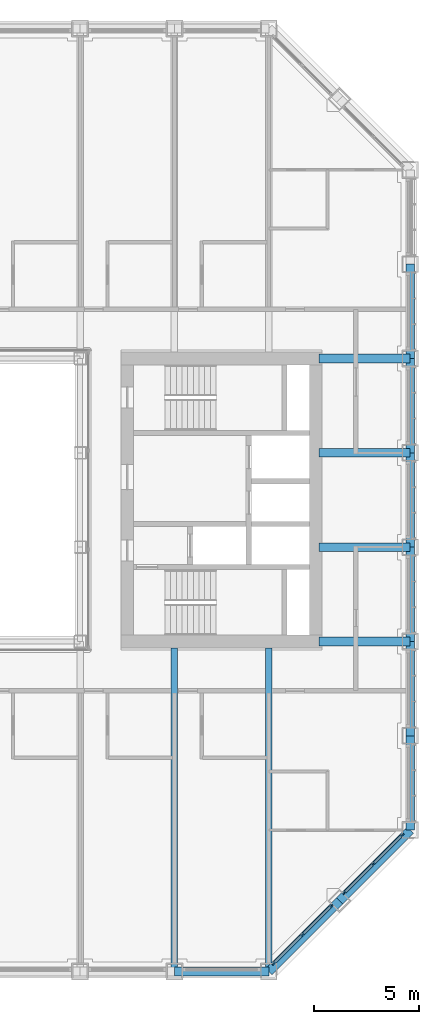
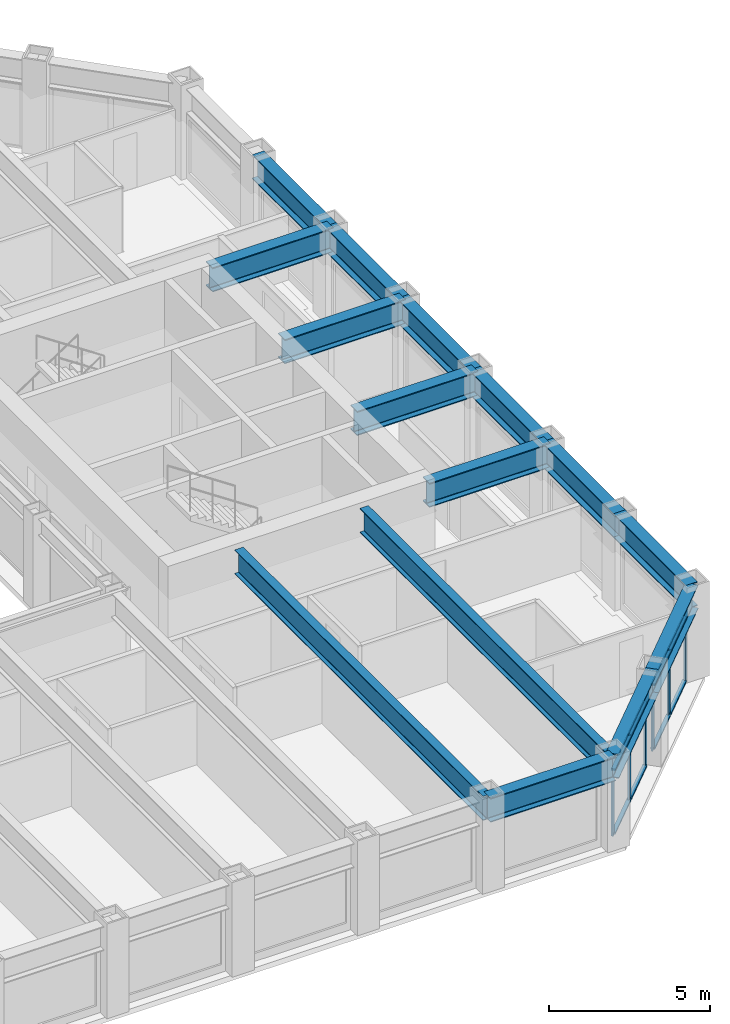
# One storey, part 6 of 18: 15 beams, 14 members, 2 elements without a shape of their own.
"""IFC4 building model written with IfcOpenShell, lengths in metres."""

from ifc_helpers import new_model, si_unit, direction, frame, origin, origin_2d, place, context, subcontext, project, spatial, rectangle, i_section, extrude, material, material_profile, profile_set, type_object, element, aggregate, save


model = new_model("IFC4")

# Units and contexts
model_context = context("Model", 3, precision=1e-05, world=origin(), true_north=direction((0.0, 1.0)))
body_context = subcontext(model_context, "Body", "Model", "MODEL_VIEW")
ifc_project = project(units=[si_unit("LENGTHUNIT", "METRE"), si_unit("AREAUNIT", "SQUARE_METRE"), si_unit("VOLUMEUNIT", "CUBIC_METRE"), si_unit("PLANEANGLEUNIT", "RADIAN"), si_unit("MASSUNIT", "GRAM", prefix="KILO")], contexts=[model_context])

# Site, building, storey
site_placement = place(None, origin())
site = spatial("IfcSite", under=ifc_project, at=site_placement, CompositionType="ELEMENT")
building_placement = place(site_placement, origin())
building = spatial("IfcBuilding", under=site, at=building_placement, Name="Msasa Ring Tower", CompositionType="ELEMENT")
storey_placement = place(building_placement, frame((0.0, 0.0, 125.60009765625)))
storey = spatial("IfcBuildingStorey", under=building, at=storey_placement, Name="L32", CompositionType="ELEMENT", Elevation=125.60009765625)

# Curtain wall, members
ifc_material_1 = material(Name="Aluminium curtain wall with clear glass", Category="aluminium")
curtain_wall_type = type_object("IfcCurtainWallType", Name="CW-C CHAMFER CORNER CURTAIN WALL", PredefinedType="NOTDEFINED", material=ifc_material_1)
curtain_wall_1_placement = place(storey_placement, origin())
curtain_wall_1 = element("IfcCurtainWall", 1, at=curtain_wall_1_placement, inside=storey, type_object=curtain_wall_type, Name="Chamfer corner curtain wall SE L32", PredefinedType="NOTDEFINED")
ifc_material_2 = material(Name="Aluminium mullion", Category="aluminium")
ifc_material_profile_1 = material_profile(ifc_material_2, rectangle(XDim=0.06494140625, YDim=0.179931640625, at=origin_2d()), Name="AL 65x180")
ifc_profile_set_1 = profile_set([ifc_material_profile_1], Name="Aluminium mullion")
member_type_1 = type_object("IfcMemberType", Name="CW-C MULLION 65x180", PredefinedType="MULLION", material=ifc_profile_set_1)
member_1_placement = place(storey_placement, frame((15.98876953125, -22.119873046875, 0.0), z_axis=(0.0, 0.0, 1.0), x_axis=(-0.707106781187, 0.707106781187, 0.0)))
member_1 = element("IfcMember", 2, at=member_1_placement, type_object=member_type_1, Name="CW-C mullion 1", PredefinedType="MULLION", context=body_context, shape_type="SweptSolid", body=[
    extrude(rectangle(XDim=0.06494140625, YDim=0.179931640625, at=origin_2d()), origin(), (0.0, 0.0, 1.0), 2.47900390625),
])
member_2_placement = place(storey_placement, frame((17.36669921875, -20.74169921875, 0.0), z_axis=(0.0, 0.0, 1.0), x_axis=(-0.707106781187, 0.707106781187, 0.0)))
member_2 = element("IfcMember", 3, at=member_2_placement, type_object=member_type_1, Name="CW-C mullion 2", PredefinedType="MULLION", context=body_context, shape_type="SweptSolid", body=[
    extrude(rectangle(XDim=0.06494140625, YDim=0.179931640625, at=origin_2d()), origin(), (0.0, 0.0, 1.0), 2.47900390625),
])
member_3_placement = place(storey_placement, frame((18.744873046875, -19.36376953125, 0.0), z_axis=(0.0, 0.0, 1.0), x_axis=(-0.707106781187, 0.707106781187, 0.0)))
member_3 = element("IfcMember", 4, at=member_3_placement, type_object=member_type_1, Name="CW-C mullion 3", PredefinedType="MULLION", context=body_context, shape_type="SweptSolid", body=[
    extrude(rectangle(XDim=0.06494140625, YDim=0.179931640625, at=origin_2d()), origin(), (0.0, 0.0, 1.0), 2.47900390625),
])

curtain_wall_2_placement = place(storey_placement, origin())
curtain_wall_2 = element("IfcCurtainWall", 5, at=curtain_wall_2_placement, inside=storey, type_object=curtain_wall_type, Name="Chamfer corner curtain wall SE L32", PredefinedType="NOTDEFINED")
member_4_placement = place(storey_placement, frame((19.36376953125, -18.744873046875, 0.0), z_axis=(0.0, 0.0, 1.0), x_axis=(-0.707106781187, 0.707106781187, 0.0)))
member_4 = element("IfcMember", 6, at=member_4_placement, type_object=member_type_1, Name="CW-C mullion 1", PredefinedType="MULLION", context=body_context, shape_type="SweptSolid", body=[
    extrude(rectangle(XDim=0.06494140625, YDim=0.179931640625, at=origin_2d()), origin(), (0.0, 0.0, 1.0), 2.47900390625),
])
member_5_placement = place(storey_placement, frame((20.74169921875, -17.36669921875, 0.0), z_axis=(0.0, 0.0, 1.0), x_axis=(-0.707106781187, 0.707106781187, 0.0)))
member_5 = element("IfcMember", 7, at=member_5_placement, type_object=member_type_1, Name="CW-C mullion 2", PredefinedType="MULLION", context=body_context, shape_type="SweptSolid", body=[
    extrude(rectangle(XDim=0.06494140625, YDim=0.179931640625, at=origin_2d()), origin(), (0.0, 0.0, 1.0), 2.47900390625),
])
member_6_placement = place(storey_placement, frame((22.119873046875, -15.98876953125, 0.0), z_axis=(0.0, 0.0, 1.0), x_axis=(-0.707106781187, 0.707106781187, 0.0)))
member_6 = element("IfcMember", 8, at=member_6_placement, type_object=member_type_1, Name="CW-C mullion 3", PredefinedType="MULLION", context=body_context, shape_type="SweptSolid", body=[
    extrude(rectangle(XDim=0.06494140625, YDim=0.179931640625, at=origin_2d()), origin(), (0.0, 0.0, 1.0), 2.47900390625),
])

# Member
ifc_material_3 = material(Name="Aluminium transom", Category="aluminium")
ifc_material_profile_2 = material_profile(ifc_material_3, rectangle(XDim=0.139892578125, YDim=0.06494140625, at=origin_2d()), Name="AL 65x140")
ifc_profile_set_2 = profile_set([ifc_material_profile_2], Name="Aluminium transom")
member_type_2 = type_object("IfcMemberType", Name="CW-C TRANSOM 65x140", PredefinedType="USERDEFINED", material=ifc_profile_set_2)
member_7_placement = place(storey_placement, frame((16.01171875, -22.096923828125, 0.032470703125), z_axis=(0.707106781187, 0.707106781187, 0.0), x_axis=(-0.707106781187, 0.707106781187, 0.0)))
member_7 = element("IfcMember", 9, at=member_7_placement, type_object=member_type_2, Name="CW-C transom 1.1", ObjectType="TRANSOM", PredefinedType="USERDEFINED", context=body_context, shape_type="SweptSolid", body=[
    extrude(rectangle(XDim=0.139892578125, YDim=0.06494140625, at=origin_2d()), origin(), (0.0, 0.0, 1.0), 1.8837890625),
])

member_8_placement = place(storey_placement, frame((16.01171875, -22.096923828125, 2.4462890625), z_axis=(0.707106781187, 0.707106781187, 0.0), x_axis=(-0.707106781187, 0.707106781187, 0.0)))
member_8 = element("IfcMember", 10, at=member_8_placement, type_object=member_type_2, Name="CW-C transom 1.2", ObjectType="TRANSOM", PredefinedType="USERDEFINED", context=body_context, shape_type="SweptSolid", body=[
    extrude(rectangle(XDim=0.139892578125, YDim=0.06494140625, at=origin_2d()), origin(), (0.0, 0.0, 1.0), 1.8837890625),
])

member_9_placement = place(storey_placement, frame((17.389892578125, -20.71875, 0.032470703125), z_axis=(0.707106781187, 0.707106781187, 0.0), x_axis=(-0.707106781187, 0.707106781187, 0.0)))
member_9 = element("IfcMember", 11, at=member_9_placement, type_object=member_type_2, Name="CW-C transom 2.1", ObjectType="TRANSOM", PredefinedType="USERDEFINED", context=body_context, shape_type="SweptSolid", body=[
    extrude(rectangle(XDim=0.139892578125, YDim=0.06494140625, at=origin_2d()), origin(), (0.0, 0.0, 1.0), 1.8837890625),
])

member_10_placement = place(storey_placement, frame((17.389892578125, -20.71875, 2.4462890625), z_axis=(0.707106781187, 0.707106781187, 0.0), x_axis=(-0.707106781187, 0.707106781187, 0.0)))
member_10 = element("IfcMember", 12, at=member_10_placement, type_object=member_type_2, Name="CW-C transom 2.2", ObjectType="TRANSOM", PredefinedType="USERDEFINED", context=body_context, shape_type="SweptSolid", body=[
    extrude(rectangle(XDim=0.139892578125, YDim=0.06494140625, at=origin_2d()), origin(), (0.0, 0.0, 1.0), 1.8837890625),
])

aggregate(curtain_wall_1, [member_1, member_2, member_3, member_7, member_8, member_9, member_10])

member_11_placement = place(storey_placement, frame((19.38671875, -18.721923828125, 0.032470703125), z_axis=(0.707106781187, 0.707106781187, 0.0), x_axis=(-0.707106781187, 0.707106781187, 0.0)))
member_11 = element("IfcMember", 13, at=member_11_placement, type_object=member_type_2, Name="CW-C transom 1.1", ObjectType="TRANSOM", PredefinedType="USERDEFINED", context=body_context, shape_type="SweptSolid", body=[
    extrude(rectangle(XDim=0.139892578125, YDim=0.06494140625, at=origin_2d()), origin(), (0.0, 0.0, 1.0), 1.8837890625),
])

member_12_placement = place(storey_placement, frame((19.38671875, -18.721923828125, 2.4462890625), z_axis=(0.707106781187, 0.707106781187, 0.0), x_axis=(-0.707106781187, 0.707106781187, 0.0)))
member_12 = element("IfcMember", 14, at=member_12_placement, type_object=member_type_2, Name="CW-C transom 1.2", ObjectType="TRANSOM", PredefinedType="USERDEFINED", context=body_context, shape_type="SweptSolid", body=[
    extrude(rectangle(XDim=0.139892578125, YDim=0.06494140625, at=origin_2d()), origin(), (0.0, 0.0, 1.0), 1.8837890625),
])

member_13_placement = place(storey_placement, frame((20.764892578125, -17.34375, 0.032470703125), z_axis=(0.707106781187, 0.707106781187, 0.0), x_axis=(-0.707106781187, 0.707106781187, 0.0)))
member_13 = element("IfcMember", 15, at=member_13_placement, type_object=member_type_2, Name="CW-C transom 2.1", ObjectType="TRANSOM", PredefinedType="USERDEFINED", context=body_context, shape_type="SweptSolid", body=[
    extrude(rectangle(XDim=0.139892578125, YDim=0.06494140625, at=origin_2d()), origin(), (0.0, 0.0, 1.0), 1.8837890625),
])

member_14_placement = place(storey_placement, frame((20.764892578125, -17.34375, 2.4462890625), z_axis=(0.707106781187, 0.707106781187, 0.0), x_axis=(-0.707106781187, 0.707106781187, 0.0)))
member_14 = element("IfcMember", 16, at=member_14_placement, type_object=member_type_2, Name="CW-C transom 2.2", ObjectType="TRANSOM", PredefinedType="USERDEFINED", context=body_context, shape_type="SweptSolid", body=[
    extrude(rectangle(XDim=0.139892578125, YDim=0.06494140625, at=origin_2d()), origin(), (0.0, 0.0, 1.0), 1.8837890625),
])

aggregate(curtain_wall_2, [member_4, member_5, member_6, member_11, member_12, member_13, member_14])

# Beams
ifc_material_4 = material(Name="Steel S355", Category="steel")
ifc_material_profile_3 = material_profile(ifc_material_4, i_section(OverallWidth=0.42041015625, OverallDepth=0.9208984375, WebThickness=0.021484375, FlangeThickness=0.03662109375, FilletRadius=0.024169921875, at=origin_2d()), Name="UB 914x419x388")
ifc_profile_set_3 = profile_set([ifc_material_profile_3], Name="Steel S355")
beam_type_1 = type_object("IfcBeamType", Name="FB2 UB 914x419x388", PredefinedType="BEAM", material=ifc_profile_set_3)
for number, where, z_axis, x_axis, name in (
    (17, (22.5, -2.25, 2.939453125), (-1.0, 0.0, 0.0), (0.0, -1.0, 0.0), "Floor beam E -2.25 under L33"),
    (18, (22.5, 2.25, 2.939453125), (-1.0, 0.0, 0.0), (0.0, -1.0, 0.0), "Floor beam E +2.25 under L33"),
):
    element("IfcBeam", number, at=place(storey_placement, frame(where, z_axis=z_axis, x_axis=x_axis)), inside=storey, type_object=beam_type_1, Name=name, PredefinedType="BEAM", context=body_context, shape_type="SweptSolid", body=[
        extrude(i_section(OverallWidth=0.42041015625, OverallDepth=0.9208984375, WebThickness=0.021484375, FlangeThickness=0.03662109375, FilletRadius=0.024169921875, at=origin_2d()), origin(), (0.0, 0.0, 1.0), 4.35009765625),
    ])
ifc_material_5 = material(Name="Steel S355", Category="steel")
ifc_material_profile_4 = material_profile(ifc_material_5, i_section(OverallWidth=0.3076171875, OverallDepth=0.926513671875, WebThickness=0.01953125, FlangeThickness=0.031982421875, FilletRadius=0.01904296875, at=origin_2d()), Name="UB 914x305x289")
ifc_profile_set_4 = profile_set([ifc_material_profile_4], Name="Steel S355")
beam_type_2 = type_object("IfcBeamType", Name="FB3 UB 914x305x289", PredefinedType="BEAM", material=ifc_profile_set_4)
for number, where, z_axis, x_axis, name in (
    (19, (11.25, -22.5, 2.9365234375), (0.0, 1.0, 0.0), (-1.0, 0.0, 0.0), "Floor beam S+11.25 under L33"),
    (20, (15.75, -22.5, 2.9365234375), (0.0, 1.0, 0.0), (-1.0, 0.0, 0.0), "Floor beam S+15.75 under L33"),
):
    element("IfcBeam", number, at=place(storey_placement, frame(where, z_axis=z_axis, x_axis=x_axis)), inside=storey, type_object=beam_type_2, Name=name, PredefinedType="BEAM", context=body_context, shape_type="SweptSolid", body=[
        extrude(i_section(OverallWidth=0.3076171875, OverallDepth=0.926513671875, WebThickness=0.01953125, FlangeThickness=0.031982421875, FilletRadius=0.01904296875, at=origin_2d()), origin(), (0.0, 0.0, 1.0), 15.449951171875),
    ])
ifc_material_6 = material(Name="Steel S355", Category="steel")
ifc_material_profile_5 = material_profile(ifc_material_6, i_section(OverallWidth=0.42041015625, OverallDepth=0.9208984375, WebThickness=0.021484375, FlangeThickness=0.03662109375, FilletRadius=0.024169921875, at=origin_2d()), Name="UB 914x419x388")
ifc_profile_set_5 = profile_set([ifc_material_profile_5], Name="Steel S355")
beam_type_3 = type_object("IfcBeamType", Name="GB1 UB 914x419x388", PredefinedType="BEAM", material=ifc_profile_set_5)
for number, where, z_axis, x_axis, name in (
    (21, (18.14990234375, 6.75, 2.939453125), (1.0, 0.0, 0.0), (0.0, 1.0, 0.0), "Girder E +6.75 under L33"),
    (22, (18.14990234375, -6.75, 2.939453125), (1.0, 0.0, 0.0), (0.0, 1.0, 0.0), "Girder E -6.75 under L33"),
):
    element("IfcBeam", number, at=place(storey_placement, frame(where, z_axis=z_axis, x_axis=x_axis)), inside=storey, type_object=beam_type_3, Name=name, PredefinedType="BEAM", context=body_context, shape_type="SweptSolid", body=[
        extrude(i_section(OverallWidth=0.42041015625, OverallDepth=0.9208984375, WebThickness=0.021484375, FlangeThickness=0.03662109375, FilletRadius=0.024169921875, at=origin_2d()), origin(), (0.0, 0.0, 1.0), 4.35009765625),
    ])
ifc_material_7 = material(Name="Steel S355", Category="steel")
ifc_material_profile_6 = material_profile(ifc_material_7, i_section(OverallWidth=0.42041015625, OverallDepth=0.9208984375, WebThickness=0.021484375, FlangeThickness=0.03662109375, FilletRadius=0.024169921875, at=origin_2d()), Name="UB 914x419x388")
ifc_profile_set_6 = profile_set([ifc_material_profile_6], Name="Steel S355")
beam_type_4 = type_object("IfcBeamType", Name="SB1 UB 914x419x388", PredefinedType="SPANDREL", material=ifc_profile_set_6)
beam_placement = place(storey_placement, frame((11.25, -22.5, 2.939453125), z_axis=(1.0, 0.0, 0.0), x_axis=(0.0, 1.0, 0.0)))
element("IfcBeam", 23, at=beam_placement, inside=storey, type_object=beam_type_4, Name="Spandrel S+11.25 to S+15.75 under L33", PredefinedType="SPANDREL", context=body_context, shape_type="SweptSolid", body=[
    extrude(i_section(OverallWidth=0.42041015625, OverallDepth=0.9208984375, WebThickness=0.021484375, FlangeThickness=0.03662109375, FilletRadius=0.024169921875, at=origin_2d()), origin(), (0.0, 0.0, 1.0), 4.5),
])
for number, where, z_axis, x_axis, name in (
    (24, (15.75, -22.5, 2.939453125), (0.707106781187, 0.707106781187, 0.0), (-0.707106781187, 0.707106781187, 0.0), "Spandrel S+15.75 to SE under L33"),
    (25, (19.125, -19.125, 2.939453125), (0.707106781187, 0.707106781187, 0.0), (-0.707106781187, 0.707106781187, 0.0), "Spandrel SE to E-15.75 under L33"),
):
    element("IfcBeam", number, at=place(storey_placement, frame(where, z_axis=z_axis, x_axis=x_axis)), inside=storey, type_object=beam_type_4, Name=name, PredefinedType="SPANDREL", context=body_context, shape_type="SweptSolid", body=[
        extrude(i_section(OverallWidth=0.42041015625, OverallDepth=0.9208984375, WebThickness=0.021484375, FlangeThickness=0.03662109375, FilletRadius=0.024169921875, at=origin_2d()), origin(), (0.0, 0.0, 1.0), 4.77294921875),
    ])
for number, where, z_axis, x_axis, name in (
    (26, (22.5, -15.75, 2.939453125), (0.0, 1.0, 0.0), (-1.0, 0.0, 0.0), "Spandrel E-15.75 to E-11.25 under L33"),
    (27, (22.5, -11.25, 2.939453125), (0.0, 1.0, 0.0), (-1.0, 0.0, 0.0), "Spandrel E-11.25 to E-6.75 under L33"),
    (28, (22.5, -6.75, 2.939453125), (0.0, 1.0, 0.0), (-1.0, 0.0, 0.0), "Spandrel E-6.75 to E-2.25 under L33"),
    (29, (22.5, -2.25, 2.939453125), (0.0, 1.0, 0.0), (-1.0, 0.0, 0.0), "Spandrel E-2.25 to E+2.25 under L33"),
    (30, (22.5, 2.25, 2.939453125), (0.0, 1.0, 0.0), (-1.0, 0.0, 0.0), "Spandrel E+2.25 to E+6.75 under L33"),
    (31, (22.5, 6.75, 2.939453125), (0.0, 1.0, 0.0), (-1.0, 0.0, 0.0), "Spandrel E+6.75 to E+11.25 under L33"),
):
    element("IfcBeam", number, at=place(storey_placement, frame(where, z_axis=z_axis, x_axis=x_axis)), inside=storey, type_object=beam_type_4, Name=name, PredefinedType="SPANDREL", context=body_context, shape_type="SweptSolid", body=[
        extrude(i_section(OverallWidth=0.42041015625, OverallDepth=0.9208984375, WebThickness=0.021484375, FlangeThickness=0.03662109375, FilletRadius=0.024169921875, at=origin_2d()), origin(), (0.0, 0.0, 1.0), 4.5),
    ])

save(model, "model.ifc")
